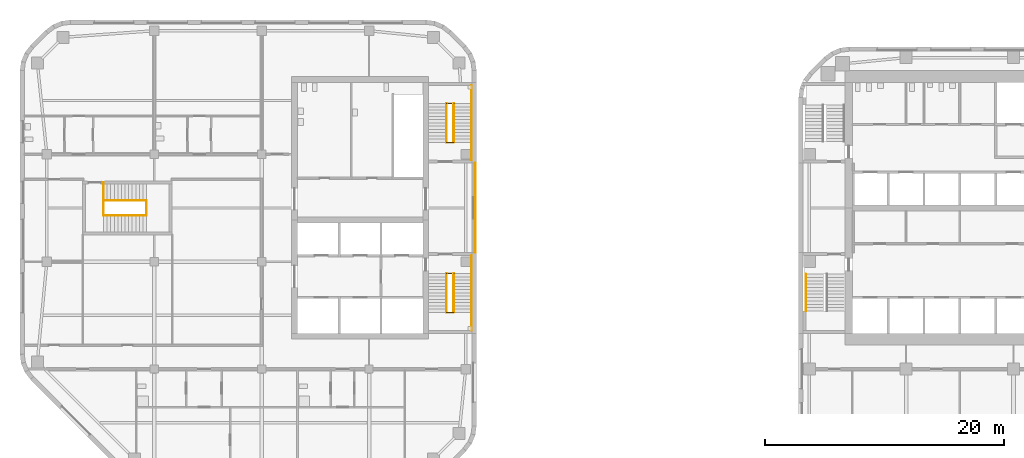
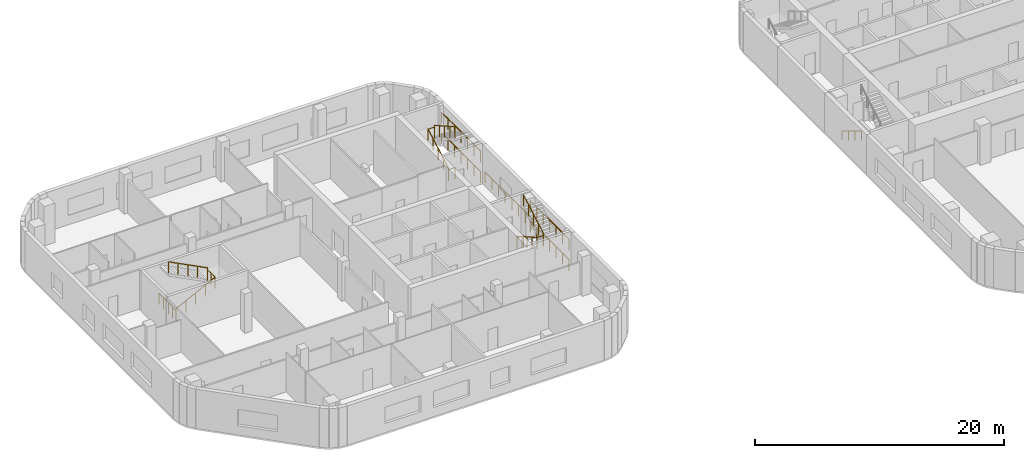
# One storey, part 13 of 15: 19 railings, 1 element without a shape of its own.
"""IFC4 building model written with IfcOpenShell, lengths in metres."""

from ifc_helpers import new_model, si_unit, direction, frame, origin, origin_2d, place, context, subcontext, project, spatial, circle, extrude, material, type_object, element, aggregate, save


model = new_model("IFC4")

# Units and contexts
model_context = context("Model", 3, precision=1e-05, world=origin(), true_north=direction((0.0, 1.0)))
body_context = subcontext(model_context, "Body", "Model", "MODEL_VIEW")
ifc_project = project(units=[si_unit("LENGTHUNIT", "METRE"), si_unit("AREAUNIT", "SQUARE_METRE"), si_unit("VOLUMEUNIT", "CUBIC_METRE"), si_unit("PLANEANGLEUNIT", "RADIAN"), si_unit("MASSUNIT", "GRAM", prefix="KILO")], contexts=[model_context])

# Site, building, storey
site_placement = place(None, origin())
site = spatial("IfcSite", under=ifc_project, at=site_placement, CompositionType="ELEMENT")
building_placement = place(site_placement, origin())
building = spatial("IfcBuilding", under=site, at=building_placement, Name="Cinnabar Reach Civic Tower", CompositionType="ELEMENT")
storey_placement = place(building_placement, frame((0.0, 0.0, 87.0)))
storey = spatial("IfcBuildingStorey", under=building, at=storey_placement, Name="L20", CompositionType="ELEMENT", Elevation=87.0)

# Stair, railing
ifc_material_1 = material(Name="Concrete C40/50", Category="concrete")
stair_type = type_object("IfcStairType", Name="T1 Exit stair, half-turn", PredefinedType="HALF_TURN_STAIR", material=ifc_material_1)
stair_placement = place(storey_placement, origin())
stair = element("IfcStair", 1, at=stair_placement, inside=storey, type_object=stair_type, Name="Stair T1-S1", PredefinedType="HALF_TURN_STAIR")
ifc_material_2 = material(Name="Stainless steel tube", Category="steel")
railing_type_1 = type_object("IfcRailingType", Name="T1 Stair handrail, stainless tube 48", PredefinedType="HANDRAIL", material=ifc_material_2)
railing_1_placement = place(storey_placement, frame((0.6, 25.95, 0.1667)))
railing_1 = element("IfcRailing", 2, at=railing_1_placement, type_object=railing_type_1, Name="T1-S1 handrail 1", PredefinedType="HANDRAIL", context=body_context, shape_type="SweptSolid", body=[
    extrude(circle(Radius=0.024, at=origin_2d()), frame((0.0, 0.0, 0.876), z_axis=(0.0, -0.859296971757, 0.511476992962), x_axis=(1.0, 0.0, 0.0)), (0.0, 0.0, 1.0), 3.5843),
    extrude(circle(Radius=0.021, at=origin_2d()), origin(), (0.0, 0.0, 1.0), 0.852),
    extrude(circle(Radius=0.021, at=origin_2d()), frame((0.0, -1.0267, 0.6111)), (0.0, 0.0, 1.0), 0.852),
    extrude(circle(Radius=0.021, at=origin_2d()), frame((0.0, -2.0533, 1.2222)), (0.0, 0.0, 1.0), 0.852),
    extrude(circle(Radius=0.021, at=origin_2d()), frame((0.0, -3.08, 1.8333)), (0.0, 0.0, 1.0), 0.852),
])
aggregate(stair, [railing_1])

# Railings
ifc_material_3 = material(Name="Stainless steel", Category="steel")
railing_type_2 = type_object("IfcRailingType", Name="T2 Stair guard 1100", PredefinedType="GUARDRAIL", material=ifc_material_3)
railing_2_placement = place(storey_placement, frame((-27.1, 27.75, 0.0)))
element("IfcRailing", 3, at=railing_2_placement, inside=storey, type_object=railing_type_2, Name="Corridor end guard", PredefinedType="GUARDRAIL", context=body_context, shape_type="SweptSolid", body=[
    extrude(circle(Radius=0.024, at=origin_2d()), frame((0.0, 0.0, 1.076), z_axis=(0.0, 1.0, 0.0), x_axis=(-1.0, 0.0, 0.0)), (0.0, 0.0, 1.0), 7.5),
    extrude(circle(Radius=0.021, at=origin_2d()), origin(), (0.0, 0.0, 1.0), 1.052),
    extrude(circle(Radius=0.021, at=origin_2d()), frame((0.0, 1.0714, 0.0)), (0.0, 0.0, 1.0), 1.052),
    extrude(circle(Radius=0.021, at=origin_2d()), frame((0.0, 2.1429, 0.0)), (0.0, 0.0, 1.0), 1.052),
    extrude(circle(Radius=0.021, at=origin_2d()), frame((0.0, 3.2143, 0.0)), (0.0, 0.0, 1.0), 1.052),
    extrude(circle(Radius=0.021, at=origin_2d()), frame((0.0, 4.2857, 0.0)), (0.0, 0.0, 1.0), 1.052),
    extrude(circle(Radius=0.021, at=origin_2d()), frame((0.0, 5.3571, 0.0)), (0.0, 0.0, 1.0), 1.052),
    extrude(circle(Radius=0.021, at=origin_2d()), frame((0.0, 6.4286, 0.0)), (0.0, 0.0, 1.0), 1.052),
    extrude(circle(Radius=0.021, at=origin_2d()), frame((0.0, 7.5, 0.0)), (0.0, 0.0, 1.0), 1.052),
])
for number, where, name in (
    (4, (-27.4, 21.25, 0.0), "Stair guard 1"),
    (5, (-27.4, 21.25, 2.0), "Stair guard 1"),
):
    element("IfcRailing", number, at=place(storey_placement, frame(where)), inside=storey, type_object=railing_type_2, Name=name, PredefinedType="GUARDRAIL", context=body_context, shape_type="SweptSolid", body=[
        extrude(circle(Radius=0.024, at=origin_2d()), frame((0.0, 0.0, 1.076), z_axis=(0.0, 1.0, 0.0), x_axis=(-1.0, 0.0, 0.0)), (0.0, 0.0, 1.0), 6.25),
        extrude(circle(Radius=0.021, at=origin_2d()), origin(), (0.0, 0.0, 1.0), 1.052),
        extrude(circle(Radius=0.021, at=origin_2d()), frame((0.0, 1.0417, 0.0)), (0.0, 0.0, 1.0), 1.052),
        extrude(circle(Radius=0.021, at=origin_2d()), frame((0.0, 2.0833, 0.0)), (0.0, 0.0, 1.0), 1.052),
        extrude(circle(Radius=0.021, at=origin_2d()), frame((0.0, 3.125, 0.0)), (0.0, 0.0, 1.0), 1.052),
        extrude(circle(Radius=0.021, at=origin_2d()), frame((0.0, 4.1667, 0.0)), (0.0, 0.0, 1.0), 1.052),
        extrude(circle(Radius=0.021, at=origin_2d()), frame((0.0, 5.2083, 0.0)), (0.0, 0.0, 1.0), 1.052),
        extrude(circle(Radius=0.021, at=origin_2d()), frame((0.0, 6.25, 0.0)), (0.0, 0.0, 1.0), 1.052),
    ])
for number, where, name in (
    (6, (-29.5, 26.0, 0.0), "Stair guard 1"),
    (7, (-29.5, 22.75, 2.0), "Stair guard 1"),
):
    element("IfcRailing", number, at=place(storey_placement, frame(where)), inside=storey, type_object=railing_type_2, Name=name, PredefinedType="GUARDRAIL", context=body_context, shape_type="SweptSolid", body=[
        extrude(circle(Radius=0.024, at=origin_2d()), frame((0.0, 0.0, 1.076), z_axis=(1.0, 0.0, 0.0), x_axis=(0.0, 1.0, 0.0)), (0.0, 0.0, 1.0), 0.6),
        extrude(circle(Radius=0.021, at=origin_2d()), origin(), (0.0, 0.0, 1.0), 1.052),
        extrude(circle(Radius=0.021, at=origin_2d()), frame((0.6, 0.0, 0.0)), (0.0, 0.0, 1.0), 1.052),
    ])
railing_3_placement = place(storey_placement, frame((-29.5, 26.0, 0.1538)))
element("IfcRailing", 8, at=railing_3_placement, inside=storey, type_object=railing_type_2, Name="Stair guard 1", PredefinedType="GUARDRAIL", context=body_context, shape_type="SweptSolid", body=[
    extrude(circle(Radius=0.024, at=origin_2d()), frame((0.0, 0.0, 1.076), z_axis=(0.0, -0.869501474428, 0.493930345258), x_axis=(1.0, 0.0, 0.0)), (0.0, 0.0, 1.0), 3.7378),
    extrude(circle(Radius=0.021, at=origin_2d()), origin(), (0.0, 0.0, 1.0), 1.052),
    extrude(circle(Radius=0.021, at=origin_2d()), frame((0.0, -0.8125, 0.4615)), (0.0, 0.0, 1.0), 1.052),
    extrude(circle(Radius=0.021, at=origin_2d()), frame((0.0, -1.625, 0.9231)), (0.0, 0.0, 1.0), 1.052),
    extrude(circle(Radius=0.021, at=origin_2d()), frame((0.0, -2.4375, 1.3846)), (0.0, 0.0, 1.0), 1.052),
    extrude(circle(Radius=0.021, at=origin_2d()), frame((0.0, -3.25, 1.8462)), (0.0, 0.0, 1.0), 1.052),
])
railing_4_placement = place(storey_placement, frame((-28.9, 22.75, 2.1538)))
element("IfcRailing", 9, at=railing_4_placement, inside=storey, type_object=railing_type_2, Name="Stair guard 1", PredefinedType="GUARDRAIL", context=body_context, shape_type="SweptSolid", body=[
    extrude(circle(Radius=0.024, at=origin_2d()), frame((0.0, 0.0, 1.076), z_axis=(0.0, 0.869501474428, 0.493930345258), x_axis=(-1.0, 0.0, 0.0)), (0.0, 0.0, 1.0), 3.7378),
    extrude(circle(Radius=0.021, at=origin_2d()), origin(), (0.0, 0.0, 1.0), 1.052),
    extrude(circle(Radius=0.021, at=origin_2d()), frame((0.0, 0.8125, 0.4615)), (0.0, 0.0, 1.0), 1.052),
    extrude(circle(Radius=0.021, at=origin_2d()), frame((0.0, 1.625, 0.9231)), (0.0, 0.0, 1.0), 1.052),
    extrude(circle(Radius=0.021, at=origin_2d()), frame((0.0, 2.4375, 1.3846)), (0.0, 0.0, 1.0), 1.052),
    extrude(circle(Radius=0.021, at=origin_2d()), frame((0.0, 3.25, 1.8462)), (0.0, 0.0, 1.0), 1.052),
])
for number, where, name in (
    (10, (-27.4, 35.5, 0.0), "Stair guard 2"),
    (11, (-27.4, 35.5, 2.0), "Stair guard 2"),
):
    element("IfcRailing", number, at=place(storey_placement, frame(where)), inside=storey, type_object=railing_type_2, Name=name, PredefinedType="GUARDRAIL", context=body_context, shape_type="SweptSolid", body=[
        extrude(circle(Radius=0.024, at=origin_2d()), frame((0.0, 0.0, 1.076), z_axis=(0.0, 1.0, 0.0), x_axis=(-1.0, 0.0, 0.0)), (0.0, 0.0, 1.0), 6.25),
        extrude(circle(Radius=0.021, at=origin_2d()), origin(), (0.0, 0.0, 1.0), 1.052),
        extrude(circle(Radius=0.021, at=origin_2d()), frame((0.0, 1.0417, 0.0)), (0.0, 0.0, 1.0), 1.052),
        extrude(circle(Radius=0.021, at=origin_2d()), frame((0.0, 2.0833, 0.0)), (0.0, 0.0, 1.0), 1.052),
        extrude(circle(Radius=0.021, at=origin_2d()), frame((0.0, 3.125, 0.0)), (0.0, 0.0, 1.0), 1.052),
        extrude(circle(Radius=0.021, at=origin_2d()), frame((0.0, 4.1667, 0.0)), (0.0, 0.0, 1.0), 1.052),
        extrude(circle(Radius=0.021, at=origin_2d()), frame((0.0, 5.2083, 0.0)), (0.0, 0.0, 1.0), 1.052),
        extrude(circle(Radius=0.021, at=origin_2d()), frame((0.0, 6.25, 0.0)), (0.0, 0.0, 1.0), 1.052),
    ])
for number, where, name in (
    (12, (-29.5, 37.0, 0.0), "Stair guard 2"),
    (13, (-29.5, 40.25, 2.0), "Stair guard 2"),
):
    element("IfcRailing", number, at=place(storey_placement, frame(where)), inside=storey, type_object=railing_type_2, Name=name, PredefinedType="GUARDRAIL", context=body_context, shape_type="SweptSolid", body=[
        extrude(circle(Radius=0.024, at=origin_2d()), frame((0.0, 0.0, 1.076), z_axis=(1.0, 0.0, 0.0), x_axis=(0.0, 1.0, 0.0)), (0.0, 0.0, 1.0), 0.6),
        extrude(circle(Radius=0.021, at=origin_2d()), origin(), (0.0, 0.0, 1.0), 1.052),
        extrude(circle(Radius=0.021, at=origin_2d()), frame((0.6, 0.0, 0.0)), (0.0, 0.0, 1.0), 1.052),
    ])
railing_5_placement = place(storey_placement, frame((-29.5, 37.0, 0.1538)))
element("IfcRailing", 14, at=railing_5_placement, inside=storey, type_object=railing_type_2, Name="Stair guard 2", PredefinedType="GUARDRAIL", context=body_context, shape_type="SweptSolid", body=[
    extrude(circle(Radius=0.024, at=origin_2d()), frame((0.0, 0.0, 1.076), z_axis=(0.0, 0.869501474428, 0.493930345258), x_axis=(-1.0, 0.0, 0.0)), (0.0, 0.0, 1.0), 3.7378),
    extrude(circle(Radius=0.021, at=origin_2d()), origin(), (0.0, 0.0, 1.0), 1.052),
    extrude(circle(Radius=0.021, at=origin_2d()), frame((0.0, 0.8125, 0.4615)), (0.0, 0.0, 1.0), 1.052),
    extrude(circle(Radius=0.021, at=origin_2d()), frame((0.0, 1.625, 0.9231)), (0.0, 0.0, 1.0), 1.052),
    extrude(circle(Radius=0.021, at=origin_2d()), frame((0.0, 2.4375, 1.3846)), (0.0, 0.0, 1.0), 1.052),
    extrude(circle(Radius=0.021, at=origin_2d()), frame((0.0, 3.25, 1.8462)), (0.0, 0.0, 1.0), 1.052),
])
railing_6_placement = place(storey_placement, frame((-28.9, 40.25, 2.1538)))
element("IfcRailing", 15, at=railing_6_placement, inside=storey, type_object=railing_type_2, Name="Stair guard 2", PredefinedType="GUARDRAIL", context=body_context, shape_type="SweptSolid", body=[
    extrude(circle(Radius=0.024, at=origin_2d()), frame((0.0, 0.0, 1.076), z_axis=(0.0, -0.869501474428, 0.493930345258), x_axis=(1.0, 0.0, 0.0)), (0.0, 0.0, 1.0), 3.7378),
    extrude(circle(Radius=0.021, at=origin_2d()), origin(), (0.0, 0.0, 1.0), 1.052),
    extrude(circle(Radius=0.021, at=origin_2d()), frame((0.0, -0.8125, 0.4615)), (0.0, 0.0, 1.0), 1.052),
    extrude(circle(Radius=0.021, at=origin_2d()), frame((0.0, -1.625, 0.9231)), (0.0, 0.0, 1.0), 1.052),
    extrude(circle(Radius=0.021, at=origin_2d()), frame((0.0, -2.4375, 1.3846)), (0.0, 0.0, 1.0), 1.052),
    extrude(circle(Radius=0.021, at=origin_2d()), frame((0.0, -3.25, 1.8462)), (0.0, 0.0, 1.0), 1.052),
])
railing_7_placement = place(storey_placement, frame((-58.25, 30.875, 0.0)))
element("IfcRailing", 16, at=railing_7_placement, inside=storey, type_object=railing_type_2, Name="Stair guard 3", PredefinedType="GUARDRAIL", context=body_context, shape_type="SweptSolid", body=[
    extrude(circle(Radius=0.024, at=origin_2d()), frame((0.0, 0.0, 1.076), z_axis=(0.0, 1.0, 0.0), x_axis=(-1.0, 0.0, 0.0)), (0.0, 0.0, 1.0), 1.25),
    extrude(circle(Radius=0.021, at=origin_2d()), origin(), (0.0, 0.0, 1.0), 1.052),
    extrude(circle(Radius=0.021, at=origin_2d()), frame((0.0, 0.625, 0.0)), (0.0, 0.0, 1.0), 1.052),
    extrude(circle(Radius=0.021, at=origin_2d()), frame((0.0, 1.25, 0.0)), (0.0, 0.0, 1.0), 1.052),
])
railing_8_placement = place(storey_placement, frame((-58.25, 32.125, 0.0)))
element("IfcRailing", 17, at=railing_8_placement, inside=storey, type_object=railing_type_2, Name="Stair guard 3", PredefinedType="GUARDRAIL", context=body_context, shape_type="SweptSolid", body=[
    extrude(circle(Radius=0.024, at=origin_2d()), frame((0.0, 0.0, 1.076), z_axis=(0.0, 1.0, 0.0), x_axis=(-1.0, 0.0, 0.0)), (0.0, 0.0, 1.0), 1.5),
    extrude(circle(Radius=0.021, at=origin_2d()), origin(), (0.0, 0.0, 1.0), 1.052),
    extrude(circle(Radius=0.021, at=origin_2d()), frame((0.0, 0.75, 0.0)), (0.0, 0.0, 1.0), 1.052),
    extrude(circle(Radius=0.021, at=origin_2d()), frame((0.0, 1.5, 0.0)), (0.0, 0.0, 1.0), 1.052),
])
railing_9_placement = place(storey_placement, frame((-54.65, 30.875, 2.0)))
element("IfcRailing", 18, at=railing_9_placement, inside=storey, type_object=railing_type_2, Name="Stair guard 3", PredefinedType="GUARDRAIL", context=body_context, shape_type="SweptSolid", body=[
    extrude(circle(Radius=0.024, at=origin_2d()), frame((0.0, 0.0, 1.076), z_axis=(0.0, 1.0, 0.0), x_axis=(-1.0, 0.0, 0.0)), (0.0, 0.0, 1.0), 1.25),
    extrude(circle(Radius=0.021, at=origin_2d()), origin(), (0.0, 0.0, 1.0), 1.052),
    extrude(circle(Radius=0.021, at=origin_2d()), frame((0.0, 0.625, 0.0)), (0.0, 0.0, 1.0), 1.052),
    extrude(circle(Radius=0.021, at=origin_2d()), frame((0.0, 1.25, 0.0)), (0.0, 0.0, 1.0), 1.052),
])
railing_10_placement = place(storey_placement, frame((-58.25, 30.875, 0.1538)))
element("IfcRailing", 19, at=railing_10_placement, inside=storey, type_object=railing_type_2, Name="Stair guard 3", PredefinedType="GUARDRAIL", context=body_context, shape_type="SweptSolid", body=[
    extrude(circle(Radius=0.024, at=origin_2d()), frame((0.0, 0.0, 1.076), z_axis=(0.889812830738, 0.0, 0.45632568003), x_axis=(0.0, 1.0, 0.0)), (0.0, 0.0, 1.0), 4.0458),
    extrude(circle(Radius=0.021, at=origin_2d()), origin(), (0.0, 0.0, 1.0), 1.052),
    extrude(circle(Radius=0.021, at=origin_2d()), frame((0.9, 0.0, 0.4615)), (0.0, 0.0, 1.0), 1.052),
    extrude(circle(Radius=0.021, at=origin_2d()), frame((1.8, 0.0, 0.9231)), (0.0, 0.0, 1.0), 1.052),
    extrude(circle(Radius=0.021, at=origin_2d()), frame((2.7, 0.0, 1.3846)), (0.0, 0.0, 1.0), 1.052),
    extrude(circle(Radius=0.021, at=origin_2d()), frame((3.6, 0.0, 1.8462)), (0.0, 0.0, 1.0), 1.052),
])
railing_11_placement = place(storey_placement, frame((-54.65, 32.125, 2.1538)))
element("IfcRailing", 20, at=railing_11_placement, inside=storey, type_object=railing_type_2, Name="Stair guard 3", PredefinedType="GUARDRAIL", context=body_context, shape_type="SweptSolid", body=[
    extrude(circle(Radius=0.024, at=origin_2d()), frame((0.0, 0.0, 1.076), z_axis=(-0.889812830738, 0.0, 0.45632568003), x_axis=(0.0, -1.0, 0.0)), (0.0, 0.0, 1.0), 4.0458),
    extrude(circle(Radius=0.021, at=origin_2d()), origin(), (0.0, 0.0, 1.0), 1.052),
    extrude(circle(Radius=0.021, at=origin_2d()), frame((-0.9, 0.0, 0.4615)), (0.0, 0.0, 1.0), 1.052),
    extrude(circle(Radius=0.021, at=origin_2d()), frame((-1.8, 0.0, 0.9231)), (0.0, 0.0, 1.0), 1.052),
    extrude(circle(Radius=0.021, at=origin_2d()), frame((-2.7, 0.0, 1.3846)), (0.0, 0.0, 1.0), 1.052),
    extrude(circle(Radius=0.021, at=origin_2d()), frame((-3.6, 0.0, 1.8462)), (0.0, 0.0, 1.0), 1.052),
])

save(model, "model.ifc")
